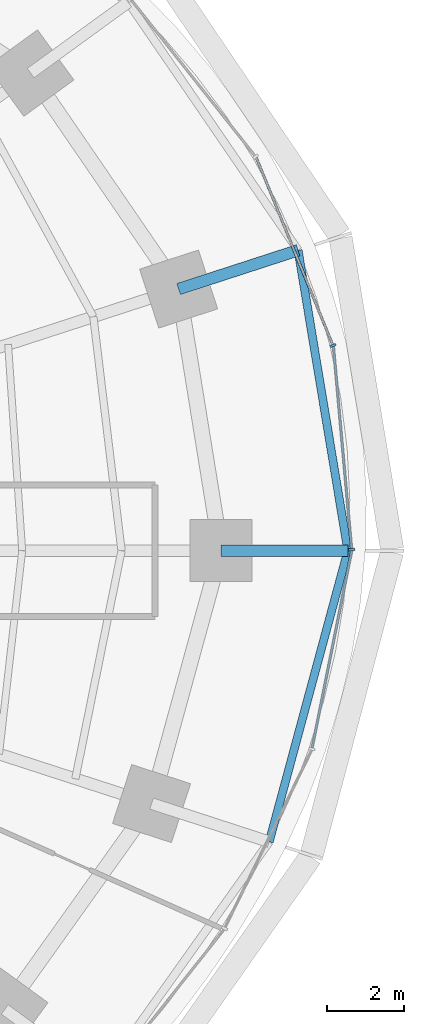
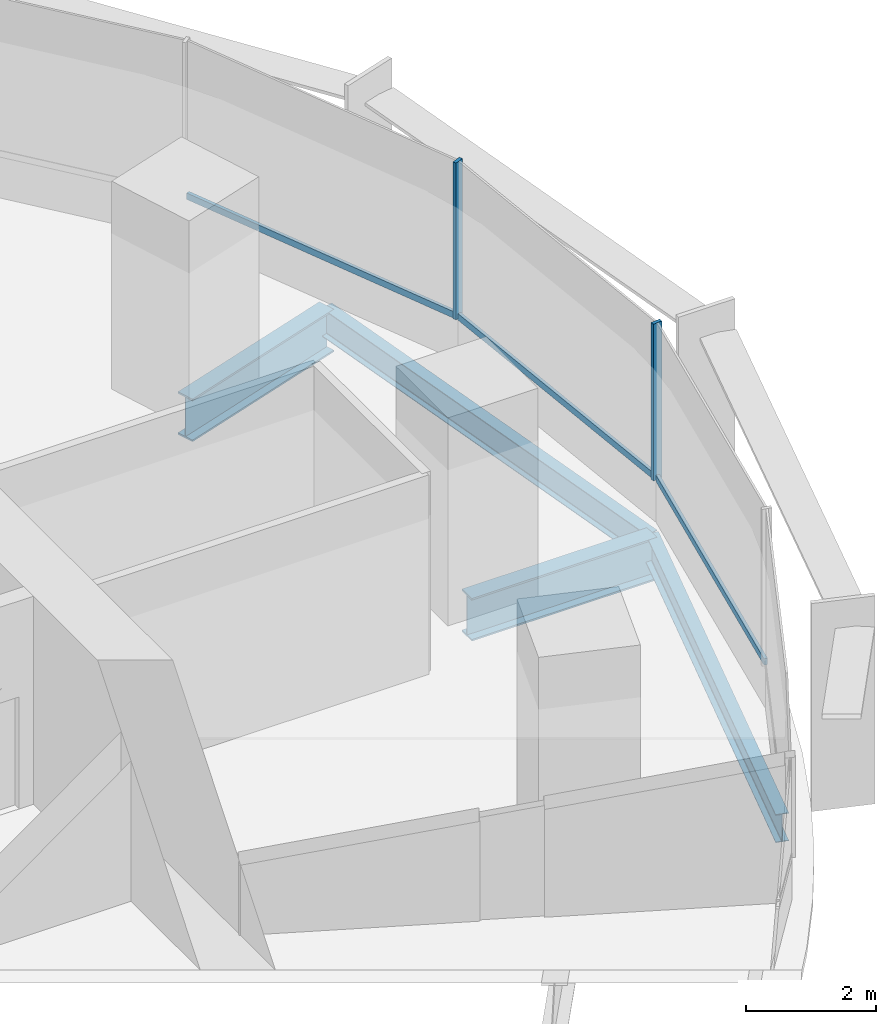
# One storey, part 6 of 14: 5 members, 4 beams, 2 elements without a shape of their own.
"""IFC4 building model written with IfcOpenShell, lengths in metres."""

import ifcopenshell
import ifcopenshell.guid

model = None  # the IFC model being written
_history = None  # IfcOwnerHistory: only IFC2X3 demands one
_inside = {}  # id of a spatial element -> (the spatial element, [elements in it])
_under = {}  # id of a project, library or spatial element -> (it, [spatial elements below it])
_declared = {}  # id of a project -> (the project, [libraries it declares])
_typed = {}  # id of a type object -> (the type object, [elements of that type])
_made_of = {}  # id of a material, layer set ... -> (it, [elements and type objects made of it])


def new_model(schema):
    """Start an empty IFC model of exactly this schema.

    Asked for "IFC4X3", IfcOpenShell would pick the latest addendum, in which some entities
    have other attributes; the version numbers below select the first issue.
    IFC2X3 requires an IfcOwnerHistory on every rooted entity: one is made here for all.
    """
    global model, _history
    if schema == "IFC4X3":
        model = ifcopenshell.file(schema_version=(4, 3, 0, 0))
    else:
        model = ifcopenshell.file(schema=schema)
    _inside.clear()
    _under.clear()
    _declared.clear()
    _typed.clear()
    _made_of.clear()
    _history = None
    if model.schema == "IFC2X3":
        org = make("IfcOrganization", Name="unknown")
        user = make(
            "IfcPersonAndOrganization",
            ThePerson=make("IfcPerson", FamilyName="unknown"),
            TheOrganization=org,
        )
        app = make(
            "IfcApplication",
            ApplicationDeveloper=org,
            Version="unknown",
            ApplicationFullName="unknown",
            ApplicationIdentifier="unknown",
        )
        _history = make(
            "IfcOwnerHistory",
            OwningUser=user,
            OwningApplication=app,
            ChangeAction="ADDED",
            CreationDate=0,
        )
    return model


def make(cls, **values):
    """One entity of the class cls with the attributes given. An attribute that is None is left unset."""
    return model.create_entity(
        cls, **{name: value for name, value in values.items() if value is not None}
    )


def rooted(cls, **values):
    """An entity with a GlobalId (a new one), such as an element, a storey or a relation."""
    return make(cls, GlobalId=ifcopenshell.guid.new(), OwnerHistory=_history, **values)


def si_unit(unit_type, name, prefix=None):
    """IfcSIUnit, for example si_unit("LENGTHUNIT", "METRE", prefix="MILLI")."""
    return make("IfcSIUnit", UnitType=unit_type, Prefix=prefix, Name=name)


def assignment(units):
    """IfcUnitAssignment: the units of a project."""
    return None if units is None else make("IfcUnitAssignment", Units=units)


def point(xyz):
    """IfcCartesianPoint."""
    return None if xyz is None else make("IfcCartesianPoint", Coordinates=xyz)


def direction(xyz):
    """IfcDirection."""
    return None if xyz is None else make("IfcDirection", DirectionRatios=xyz)


def frame(location, z_axis=None, x_axis=None):
    """IfcAxis2Placement3D, a coordinate frame: its origin and axes. An axis left out is left unset."""
    return make(
        "IfcAxis2Placement3D",
        Location=point(location),
        Axis=direction(z_axis),
        RefDirection=direction(x_axis),
    )


def frame_2d(location, x_axis=None):
    """IfcAxis2Placement2D, a coordinate frame in the plane: its origin and x axis."""
    return make(
        "IfcAxis2Placement2D", Location=point(location), RefDirection=direction(x_axis)
    )


def origin():
    """The frame at (0, 0, 0) with its axes left unset."""
    return frame((0.0, 0.0, 0.0))


def origin_2d():
    """The frame at (0, 0) in the plane with its x axis left unset."""
    return frame_2d((0.0, 0.0))


def place(relative_to, where):
    """IfcLocalPlacement: puts the frame where relative to a parent placement (None: the world)."""
    return make(
        "IfcLocalPlacement", PlacementRelTo=relative_to, RelativePlacement=where
    )


def context(
    kind, dimensions, precision=None, world=None, true_north=None, identifier=None
):
    """IfcGeometricRepresentationContext, for example the 3D "Model" context."""
    return make(
        "IfcGeometricRepresentationContext",
        ContextIdentifier=identifier,
        ContextType=kind,
        CoordinateSpaceDimension=dimensions,
        Precision=precision,
        WorldCoordinateSystem=world,
        TrueNorth=true_north,
    )


def subcontext(parent, identifier, kind, view, scale=None):
    """IfcGeometricRepresentationSubContext, for example "Body" below "Model"."""
    return make(
        "IfcGeometricRepresentationSubContext",
        ContextIdentifier=identifier,
        ContextType=kind,
        ParentContext=parent,
        TargetScale=scale,
        TargetView=view,
    )


def project(units=None, contexts=None):
    """IfcProject with its units and contexts."""
    return rooted(
        "IfcProject",
        Name="project",
        RepresentationContexts=contexts,
        UnitsInContext=assignment(units),
    )


def spatial(cls, under=None, at=None, **own):
    """A site, building, storey or space (cls), placed at a placement, below another one or the project."""
    s = rooted(cls, ObjectPlacement=at, **own)
    if under is not None:
        _under.setdefault(under.id(), (under, []))[1].append(s)
    return s


def profile(cls, at=None, kind="AREA", **sizes):
    """A parametric profile (cls). Its sizes go by their IFC names, for example OverallWidth=200.0."""
    return make(cls, ProfileType=kind, Position=at, **sizes)


def rectangle(**sizes):
    """IfcRectangleProfileDef."""
    return profile("IfcRectangleProfileDef", **sizes)


def i_section(**sizes):
    """IfcIShapeProfileDef."""
    return profile("IfcIShapeProfileDef", **sizes)


def extrude(swept, where, along, depth):
    """IfcExtrudedAreaSolid: the profile swept, set in the frame where, extruded along a direction by depth."""
    return make(
        "IfcExtrudedAreaSolid",
        SweptArea=swept,
        Position=where,
        ExtrudedDirection=direction(along),
        Depth=depth,
    )


def shape(context_of_items, identifier, shape_type, items):
    """IfcShapeRepresentation: the items that make up one representation, for example the "Body"."""
    return make(
        "IfcShapeRepresentation",
        ContextOfItems=context_of_items,
        RepresentationIdentifier=identifier,
        RepresentationType=shape_type,
        Items=items,
    )


def material(Name=None, Category=None):
    """IfcMaterial."""
    return make("IfcMaterial", Name=Name, Category=Category)


def material_profile(
    of_material, cross_section, Name=None, Category=None, Priority=None
):
    """IfcMaterialProfile: a cross section and its material."""
    return make(
        "IfcMaterialProfile",
        Name=Name,
        Material=of_material,
        Profile=cross_section,
        Priority=Priority,
        Category=Category,
    )


def profile_set(profiles, Name=None, composite=None):
    """IfcMaterialProfileSet."""
    return make(
        "IfcMaterialProfileSet",
        Name=Name,
        MaterialProfiles=profiles,
        CompositeProfile=composite,
    )


def made_of(thing, what):
    """Note that an element or type object is made of a material, layer set ...; save() writes the relation."""
    if what is not None:
        _made_of.setdefault(what.id(), (what, []))[1].append(thing)
    return thing


def type_object(cls, material=None, **own):
    """A type object (cls), such as IfcWallType, which elements share."""
    return made_of(rooted(cls, **own), material)


def element(
    cls,
    number,
    at=None,
    inside=None,
    cuts=None,
    type_object=None,
    material=None,
    context=None,
    identifier="Body",
    shape_type=None,
    held_by="IfcProductDefinitionShape",
    body=None,
    shapes=None,
    **own,
):
    """One element of the class cls, such as IfcWall. Its Tag is "e" and its number.

    at: its placement. inside: the storey or other place that contains it. cuts: it is an
    opening in that element (IfcRelVoidsElement). A single representation is given by context,
    identifier, shape_type and body (its items); several are given by shapes. held_by: the class
    of the entity that holds the representations. save() writes the other relations.
    """
    e = rooted(cls, Tag="e%d" % number, ObjectPlacement=at, **own)
    if body is not None:
        shapes = [shape(context, identifier, shape_type, body)]
    if shapes is not None:
        e.Representation = make(held_by, Representations=shapes)
    if inside is not None:
        _inside.setdefault(inside.id(), (inside, []))[1].append(e)
    if cuts is not None:
        rooted(
            "IfcRelVoidsElement", RelatingBuildingElement=cuts, RelatedOpeningElement=e
        )
    if type_object is not None:
        _typed.setdefault(type_object.id(), (type_object, []))[1].append(e)
    return made_of(e, material)


def aggregate(whole, parts):
    """IfcRelAggregates: a whole, such as a stair, and the parts it consists of."""
    return rooted("IfcRelAggregates", RelatingObject=whole, RelatedObjects=parts)


def save(model, path):
    """Write the relations noted so far, then the file.

    IfcRelAggregates (storeys below a building ...), IfcRelContainedInSpatialStructure (elements
    in a storey), IfcRelDefinesByType, IfcRelAssociatesMaterial and IfcRelDeclares: one each for
    every whole, place, type object, material and project.
    """
    for whole, parts in _under.values():
        aggregate(whole, parts)
    for where, things in _inside.values():
        rooted(
            "IfcRelContainedInSpatialStructure",
            RelatedElements=things,
            RelatingStructure=where,
        )
    for kind, things in _typed.values():
        rooted("IfcRelDefinesByType", RelatedObjects=things, RelatingType=kind)
    for what, things in _made_of.values():
        rooted("IfcRelAssociatesMaterial", RelatedObjects=things, RelatingMaterial=what)
    for by, libraries in _declared.values():
        rooted("IfcRelDeclares", RelatingContext=by, RelatedDefinitions=libraries)
    model.write(path)


model = new_model("IFC4")

# Units and contexts
model_context = context("Model", 3, precision=1e-05, world=origin(), true_north=direction((0.0, 1.0)))
body_context = subcontext(model_context, "Body", "Model", "MODEL_VIEW")
ifc_project = project(units=[si_unit("LENGTHUNIT", "METRE"), si_unit("AREAUNIT", "SQUARE_METRE"), si_unit("VOLUMEUNIT", "CUBIC_METRE"), si_unit("PLANEANGLEUNIT", "RADIAN"), si_unit("MASSUNIT", "GRAM", prefix="KILO")], contexts=[model_context])

# Site, building, storey
site_placement = place(None, origin())
site = spatial("IfcSite", under=ifc_project, at=site_placement, CompositionType="ELEMENT")
building_placement = place(site_placement, origin())
building = spatial("IfcBuilding", under=site, at=building_placement, Name="Marramba Exchange Tower", CompositionType="ELEMENT")
storey_placement = place(building_placement, frame((0.0, 0.0, 154.800048828125)))
storey = spatial("IfcBuildingStorey", under=building, at=storey_placement, Name="L37", CompositionType="ELEMENT", Elevation=154.800048828125)

# Beams
ifc_material_1 = material(Name="Steel AS/NZS 3679.2 grade 300", Category="steel")
ifc_material_profile_1 = material_profile(ifc_material_1, i_section(OverallWidth=0.300048828125, OverallDepth=0.800048828125, WebThickness=0.013916015625, FlangeThickness=0.031982421875, at=origin_2d()), Name="800WB192")
ifc_profile_set_1 = profile_set([ifc_material_profile_1], Name="Steel AS/NZS 3679.2 grade 300")
beam_type_1 = type_object("IfcBeamType", Name="Cantilever girder 800WB192", PredefinedType="BEAM", material=ifc_profile_set_1)
beam_1_placement = place(storey_placement, frame((21.89990234375, 0.0, -0.56005859375), z_axis=(1.0, 0.0, 0.0), x_axis=(0.0, 1.0, 0.0)))
element("IfcBeam", 1, at=beam_1_placement, inside=storey, type_object=beam_type_1, Name="Cantilever girder L37 TC01", PredefinedType="BEAM", context=body_context, shape_type="SweptSolid", body=[
    extrude(i_section(OverallWidth=0.300048828125, OverallDepth=0.800048828125, WebThickness=0.013916015625, FlangeThickness=0.031982421875, at=origin_2d()), origin(), (0.0, 0.0, 1.0), 3.281982421875),
])
beam_2_placement = place(storey_placement, frame((20.808349609375, 6.760986328125, -0.56005859375), z_axis=(0.95105562578, 0.309019735087, 0.0), x_axis=(-0.309019735087, 0.95105562578, 0.0)))
element("IfcBeam", 2, at=beam_2_placement, inside=storey, type_object=beam_type_1, Name="Cantilever girder L37 TC02", PredefinedType="BEAM", context=body_context, shape_type="SweptSolid", body=[
    extrude(i_section(OverallWidth=0.300048828125, OverallDepth=0.800048828125, WebThickness=0.013916015625, FlangeThickness=0.031982421875, at=origin_2d()), origin(), (0.0, 0.0, 1.0), 3.24560546875),
])

# Curtain wall, members
ifc_material_2 = material(Name="Aluminium framing, bronze anodised", Category="aluminium")
curtain_wall_type = type_object("IfcCurtainWallType", Name="Office ribbon curtain wall", PredefinedType="USERDEFINED", material=ifc_material_2)
curtain_wall_1_placement = place(storey_placement, origin())
curtain_wall_1 = element("IfcCurtainWall", 3, at=curtain_wall_1_placement, inside=storey, type_object=curtain_wall_type, Name="Curtain wall CW4 L37 F01-F05", ObjectType="RIBBON CURTAIN WALL", PredefinedType="USERDEFINED")
ifc_material_3 = material(Name="Aluminium mullion, bronze anodised", Category="aluminium")
ifc_material_profile_2 = material_profile(ifc_material_3, rectangle(XDim=0.159912109375, YDim=0.06005859375, at=origin_2d()), Name="CW4 mullion 60x160")
ifc_profile_set_2 = profile_set([ifc_material_profile_2], Name="Aluminium mullion, bronze anodised")
member_type_1 = type_object("IfcMemberType", Name="Office ribbon curtain wall mullion", PredefinedType="MULLION", material=ifc_profile_set_2)
member_1_placement = place(storey_placement, frame((25.279296875, 0.02978515625, 0.800048828125), z_axis=(0.0, 0.0, 1.0), x_axis=(-0.995994646311, -0.089412887889, 0.0)))
member_1 = element("IfcMember", 4, at=member_1_placement, type_object=member_type_1, Name="CW4 mullion 1", PredefinedType="MULLION", context=body_context, shape_type="SweptSolid", body=[
    extrude(rectangle(XDim=0.159912109375, YDim=0.06005859375, at=origin_2d()), origin(), (0.0, 0.0, 1.0), 2.93994140625),
])
member_2_placement = place(storey_placement, frame((24.79736328125, 5.301025390625, 0.800048828125), z_axis=(0.0, 0.0, 1.0), x_axis=(-0.925878584668, -0.377821183171, 0.0)))
member_2 = element("IfcMember", 5, at=member_2_placement, type_object=member_type_1, Name="CW4 mullion 1", PredefinedType="MULLION", context=body_context, shape_type="SweptSolid", body=[
    extrude(rectangle(XDim=0.159912109375, YDim=0.06005859375, at=origin_2d()), origin(), (0.0, 0.0, 1.0), 2.93994140625),
])
ifc_material_4 = material(Name="Aluminium transom, bronze anodised", Category="aluminium")
ifc_material_profile_3 = material_profile(ifc_material_4, rectangle(XDim=0.06005859375, YDim=0.1201171875, at=origin_2d()), Name="CW4 transom 60x120")
ifc_profile_set_3 = profile_set([ifc_material_profile_3], Name="Aluminium transom, bronze anodised")
member_type_2 = type_object("IfcMemberType", Name="Office ribbon curtain wall transom", PredefinedType="USERDEFINED", material=ifc_profile_set_3)
member_3_placement = place(storey_placement, frame((25.276611328125, 0.059814453125, 0.829833984375), z_axis=(-0.089412838135, 0.995994650777, 0.0), x_axis=(-0.995994650777, -0.089412838135, 0.0)))
member_3 = element("IfcMember", 6, at=member_3_placement, type_object=member_type_2, Name="CW4 sill transom", ObjectType="TRANSOM", PredefinedType="USERDEFINED", context=body_context, shape_type="SweptSolid", body=[
    extrude(rectangle(XDim=0.06005859375, YDim=0.1201171875, at=origin_2d()), origin(), (0.0, 0.0, 1.0), 5.234375),
])
member_4_placement = place(storey_placement, frame((24.785888671875, 5.328857421875, 0.829833984375), z_axis=(-0.377838039034, 0.925871706155, 0.0), x_axis=(-0.925871706155, -0.377838039034, 0.0)))
member_4 = element("IfcMember", 7, at=member_4_placement, type_object=member_type_2, Name="CW4 sill transom", ObjectType="TRANSOM", PredefinedType="USERDEFINED", context=body_context, shape_type="SweptSolid", body=[
    extrude(rectangle(XDim=0.06005859375, YDim=0.1201171875, at=origin_2d()), origin(), (0.0, 0.0, 1.0), 5.2158203125),
])
aggregate(curtain_wall_1, [member_1, member_3, member_2, member_4])

# Curtain wall, member
curtain_wall_2_placement = place(storey_placement, origin())
curtain_wall_2 = element("IfcCurtainWall", 8, at=curtain_wall_2_placement, inside=storey, type_object=curtain_wall_type, Name="Curtain wall CW4 L37 F26-F30", ObjectType="RIBBON CURTAIN WALL", PredefinedType="USERDEFINED")
member_5_placement = place(storey_placement, frame((24.258056640625, -5.094970703125, 0.829833984375), z_axis=(0.197028520451, 0.980397757101, 0.0), x_axis=(-0.980397757101, 0.197028520451, 0.0)))
member_5 = element("IfcMember", 9, at=member_5_placement, type_object=member_type_2, Name="CW4 sill transom", ObjectType="TRANSOM", PredefinedType="USERDEFINED", context=body_context, shape_type="SweptSolid", body=[
    extrude(rectangle(XDim=0.06005859375, YDim=0.1201171875, at=origin_2d()), origin(), (0.0, 0.0, 1.0), 5.19677734375),
])
aggregate(curtain_wall_2, [member_5])

# Beams
ifc_material_5 = material(Name="Steel AS/NZS 3679.1 grade 300", Category="steel")
ifc_material_profile_4 = material_profile(ifc_material_5, i_section(OverallWidth=0.208984375, OverallDepth=0.528076171875, WebThickness=0.009521484375, FlangeThickness=0.01318359375, FilletRadius=0.013916015625, at=origin_2d()), Name="530UB82.0")
ifc_profile_set_4 = profile_set([ifc_material_profile_4], Name="Steel AS/NZS 3679.1 grade 300")
beam_type_2 = type_object("IfcBeamType", Name="Slab edge beam 530UB82.0", PredefinedType="SPANDREL", material=ifc_profile_set_4)
beam_3_placement = place(storey_placement, frame((25.181884765625, 0.0, -0.424072265625), z_axis=(-0.163518559175, 0.986540258076, 0.0), x_axis=(-0.986540258076, -0.163518559175, 0.0)))
element("IfcBeam", 10, at=beam_3_placement, inside=storey, type_object=beam_type_2, Name="Slab edge beam L37 TC01-TC02", PredefinedType="SPANDREL", context=body_context, shape_type="SweptSolid", body=[
    extrude(i_section(OverallWidth=0.208984375, OverallDepth=0.528076171875, WebThickness=0.009521484375, FlangeThickness=0.01318359375, FilletRadius=0.013916015625, at=origin_2d()), origin(), (0.0, 0.0, 1.0), 7.869873046875),
])
beam_4_placement = place(storey_placement, frame((23.148681640625, -7.521484375, -0.424072265625), z_axis=(0.260953221575, 0.965351446961, 0.0), x_axis=(-0.965351446961, 0.260953221575, 0.0)))
element("IfcBeam", 11, at=beam_4_placement, inside=storey, type_object=beam_type_2, Name="Slab edge beam L37 TC20-TC01", PredefinedType="SPANDREL", context=body_context, shape_type="SweptSolid", body=[
    extrude(i_section(OverallWidth=0.208984375, OverallDepth=0.528076171875, WebThickness=0.009521484375, FlangeThickness=0.01318359375, FilletRadius=0.013916015625, at=origin_2d()), origin(), (0.0, 0.0, 1.0), 7.79150390625),
])

save(model, "model.ifc")
